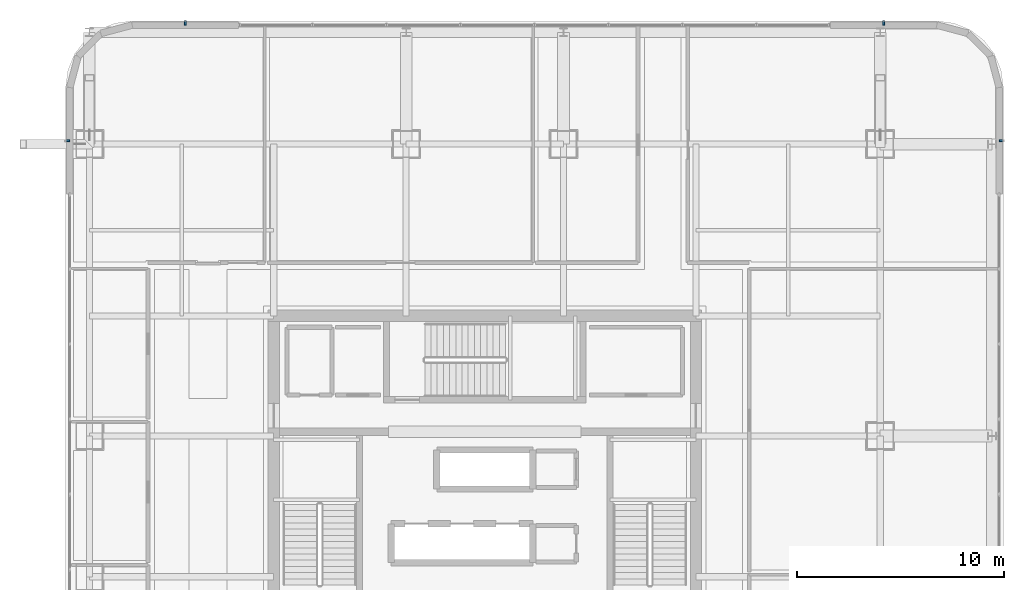
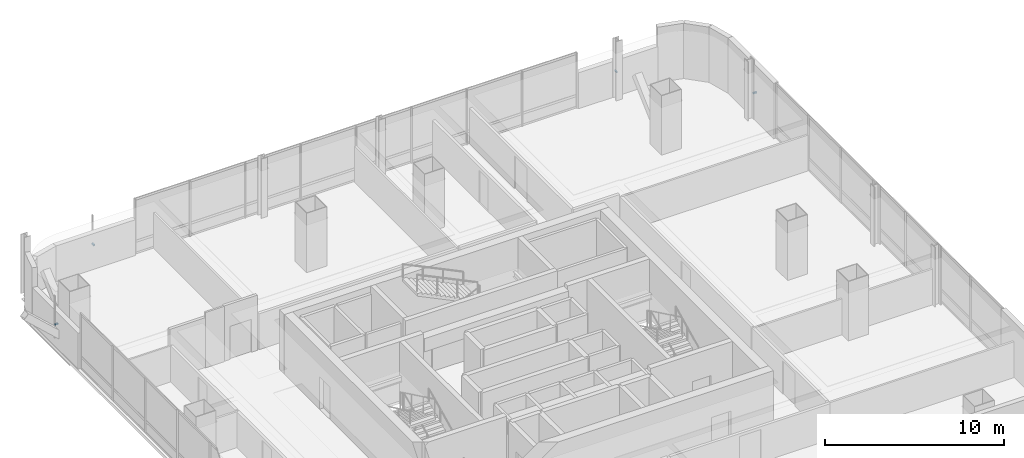
# One storey, part 40 of 51: 4 discrete accessories.
"""IFC4 building model written with IfcOpenShell, lengths in metres."""

from ifc_helpers import new_model, si_unit, direction, frame, origin, origin_2d, place, context, subcontext, project, spatial, rectangle, extrude, material, type_object, element, save


model = new_model("IFC4")

# Units and contexts
model_context = context("Model", 3, precision=1e-05, world=origin(), true_north=direction((0.0, 1.0)))
body_context = subcontext(model_context, "Body", "Model", "MODEL_VIEW")
ifc_project = project(units=[si_unit("LENGTHUNIT", "METRE"), si_unit("AREAUNIT", "SQUARE_METRE"), si_unit("VOLUMEUNIT", "CUBIC_METRE"), si_unit("PLANEANGLEUNIT", "RADIAN"), si_unit("MASSUNIT", "GRAM", prefix="KILO")], contexts=[model_context])

# Site, building, storey
site_placement = place(None, origin())
site = spatial("IfcSite", under=ifc_project, at=site_placement, CompositionType="ELEMENT")
building_placement = place(site_placement, origin())
building = spatial("IfcBuilding", under=site, at=building_placement, Name="Punatoya Terracotta Tower", CompositionType="ELEMENT")
storey_placement = place(building_placement, frame((0.0, 0.0, 279.75)))
storey = spatial("IfcBuildingStorey", under=building, at=storey_placement, Name="L66", CompositionType="ELEMENT", Elevation=279.75)

# Discrete accessories
ifc_material = material(Name="Steel S355", Category="steel")
discrete_accessory_type = type_object("IfcDiscreteAccessoryType", Name="ACC-BRK-220", PredefinedType="BRACKET", material=ifc_material)
for number, where, z_axis, x_axis, name in (
    (1, (24.949951171875, 17.66845703125, 1.449951171875), (0.0, 0.0, 1.0), (0.0, 1.0, 0.0), "L66 Jali Fin Support Bracket E2"),
    (2, (19.2685546875, 23.35009765625, 1.449951171875), (0.0, 0.0, 1.0), (-1.0, 0.0, 0.0), "L66 Jali Fin Support Bracket N1"),
    (3, (-14.468505859375, 23.35009765625, 1.449951171875), (0.0, 0.0, 1.0), (-1.0, 0.0, 0.0), "L66 Jali Fin Support Bracket N2"),
    (4, (-20.14990234375, 17.66845703125, 1.449951171875), (0.0, 0.0, 1.0), (0.0, -1.0, 0.0), "L66 Jali Fin Support Bracket W1"),
):
    element("IfcDiscreteAccessory", number, at=place(storey_placement, frame(where, z_axis=z_axis, x_axis=x_axis)), inside=storey, type_object=discrete_accessory_type, Name=name, PredefinedType="BRACKET", context=body_context, shape_type="SweptSolid", body=[
        extrude(rectangle(XDim=0.090087890625, YDim=0.219970703125, at=origin_2d()), origin(), (0.0, 0.0, 1.0), 0.10009765625),
    ])

save(model, "model.ifc")
